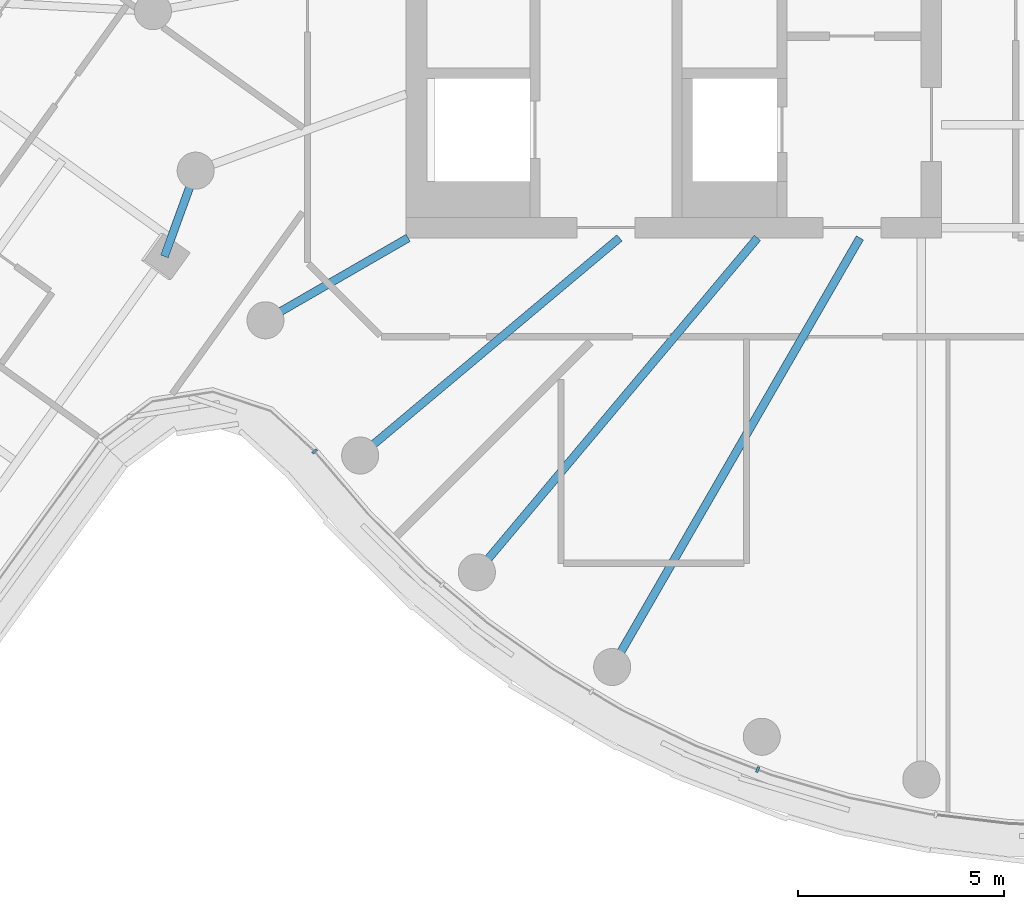
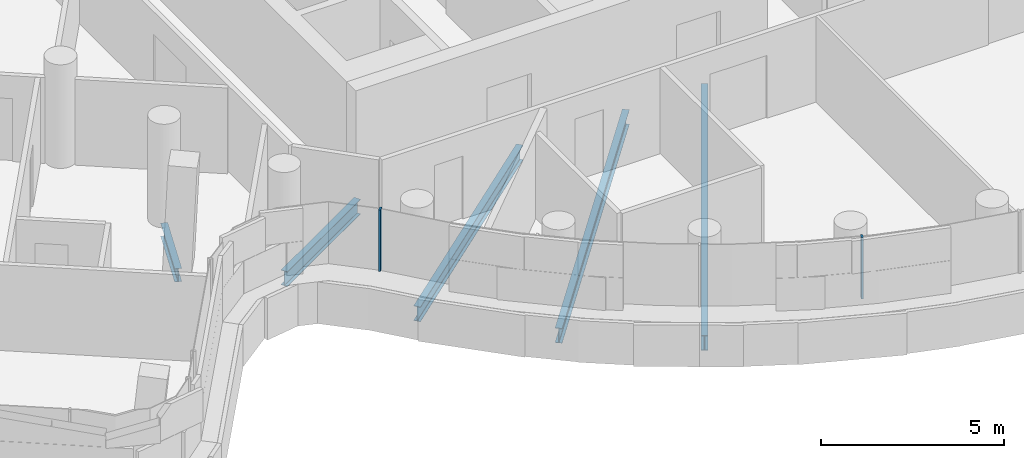
# One storey, part 3 of 27: 5 beams, 2 members, 1 element without a shape of its own.
"""IFC4 building model written with IfcOpenShell, lengths in metres."""

from ifc_helpers import new_model, si_unit, direction, frame, origin, origin_2d, place, context, subcontext, project, spatial, rectangle, i_section, extrude, material, layer, layer_set, material_profile, profile_set, type_object, element, aggregate, save


model = new_model("IFC4")

# Units and contexts
model_context = context("Model", 3, precision=1e-05, world=origin(), true_north=direction((0.0, 1.0)))
body_context = subcontext(model_context, "Body", "Model", "MODEL_VIEW")
ifc_project = project(units=[si_unit("LENGTHUNIT", "METRE"), si_unit("AREAUNIT", "SQUARE_METRE"), si_unit("VOLUMEUNIT", "CUBIC_METRE"), si_unit("PLANEANGLEUNIT", "RADIAN"), si_unit("MASSUNIT", "GRAM", prefix="KILO")], contexts=[model_context])

# Site, building, storey
site_placement = place(None, origin())
site = spatial("IfcSite", under=ifc_project, at=site_placement, CompositionType="ELEMENT")
building_placement = place(site_placement, origin())
building = spatial("IfcBuilding", under=site, at=building_placement, Name="Tamarind Cross Interchange Tower", CompositionType="ELEMENT")
storey_placement = place(building_placement, frame((0.0, 0.0, 230.699951171875)))
storey = spatial("IfcBuildingStorey", under=building, at=storey_placement, Name="L58", CompositionType="ELEMENT", Elevation=230.699951171875)

# Beams
ifc_material_1 = material(Name="Steel Q355B", Category="steel")
ifc_material_profile_1 = material_profile(ifc_material_1, i_section(OverallWidth=0.198974609375, OverallDepth=0.446044921875, WebThickness=0.008056640625, FlangeThickness=0.011962890625, FilletRadius=0.012939453125, at=origin_2d()), Name="HN 446x199x8x12")
ifc_profile_set_1 = profile_set([ifc_material_profile_1], Name="Steel Q355B")
beam_type_1 = type_object("IfcBeamType", Name="Composite beam HN 446x199x8x12 Q355B", PredefinedType="BEAM", material=ifc_profile_set_1)
beam_1_placement = place(storey_placement, frame((-22.371826171875, -9.949951171875, -0.363037109375), z_axis=(0.342202725814, 0.939626146106, 0.0), x_axis=(-0.939626146106, 0.342202725814, 0.0)))
element("IfcBeam", 1, at=beam_1_placement, inside=storey, type_object=beam_type_1, Name="Beam W-linkep", PredefinedType="BEAM", context=body_context, shape_type="SweptSolid", body=[
    extrude(i_section(OverallWidth=0.198974609375, OverallDepth=0.446044921875, WebThickness=0.008056640625, FlangeThickness=0.011962890625, FilletRadius=0.012939453125, at=origin_2d()), origin(), (0.0, 0.0, 1.0), 2.21728515625),
])
ifc_material_profile_2 = material_profile(ifc_material_1, i_section(OverallWidth=0.198974609375, OverallDepth=0.49609375, WebThickness=0.009033203125, FlangeThickness=0.013916015625, FilletRadius=0.012939453125, at=origin_2d()), Name="HN 496x199x9x14")
ifc_profile_set_2 = profile_set([ifc_material_profile_2], Name="Steel Q355B")
beam_type_2 = type_object("IfcBeamType", Name="Composite beam HN 496x199x9x14 Q355B", PredefinedType="BEAM", material=ifc_profile_set_2)
beam_2_placement = place(storey_placement, frame((-19.918701171875, -11.5, -0.387939453125), z_axis=(0.866026010844, 0.49999894854, 0.0), x_axis=(-0.49999894854, 0.866026010844, 0.0)))
element("IfcBeam", 2, at=beam_2_placement, inside=storey, type_object=beam_type_2, Name="Beam HH21", PredefinedType="BEAM", context=body_context, shape_type="SweptSolid", body=[
    extrude(i_section(OverallWidth=0.198974609375, OverallDepth=0.49609375, WebThickness=0.009033203125, FlangeThickness=0.013916015625, FilletRadius=0.012939453125, at=origin_2d()), origin(), (0.0, 0.0, 1.0), 4.0),
])
beam_3_placement = place(storey_placement, frame((-17.619140625, -14.7841796875, -0.387939453125), z_axis=(0.766040580814, 0.642792212574, 0.0), x_axis=(-0.642792212574, 0.766040580814, 0.0)))
element("IfcBeam", 3, at=beam_3_placement, inside=storey, type_object=beam_type_2, Name="Beam HH22", PredefinedType="BEAM", context=body_context, shape_type="SweptSolid", body=[
    extrude(i_section(OverallWidth=0.198974609375, OverallDepth=0.49609375, WebThickness=0.009033203125, FlangeThickness=0.013916015625, FilletRadius=0.012939453125, at=origin_2d()), origin(), (0.0, 0.0, 1.0), 8.220703125),
])
beam_4_placement = place(storey_placement, frame((-14.7841796875, -17.619140625, -0.387939453125), z_axis=(0.642786293979, 0.766045547127, 0.0), x_axis=(-0.766045547127, 0.642786293979, 0.0)))
element("IfcBeam", 4, at=beam_4_placement, inside=storey, type_object=beam_type_2, Name="Beam HH23", PredefinedType="BEAM", context=body_context, shape_type="SweptSolid", body=[
    extrude(i_section(OverallWidth=0.198974609375, OverallDepth=0.49609375, WebThickness=0.009033203125, FlangeThickness=0.013916015625, FilletRadius=0.012939453125, at=origin_2d()), origin(), (0.0, 0.0, 1.0), 10.598876953125),
])
beam_5_placement = place(storey_placement, frame((-11.5, -19.918701171875, -0.387939453125), z_axis=(0.499993565836, 0.866029118519, 0.0), x_axis=(-0.866029118519, 0.499993565836, 0.0)))
element("IfcBeam", 5, at=beam_5_placement, inside=storey, type_object=beam_type_2, Name="Beam HH24", PredefinedType="BEAM", context=body_context, shape_type="SweptSolid", body=[
    extrude(i_section(OverallWidth=0.198974609375, OverallDepth=0.49609375, WebThickness=0.009033203125, FlangeThickness=0.013916015625, FilletRadius=0.012939453125, at=origin_2d()), origin(), (0.0, 0.0, 1.0), 12.030517578125),
])

# Curtain wall, members
ifc_material_2 = material(Name="Aluminium 6063-T6", Category="aluminium")
ifc_layer = layer(ifc_material_2, 0.139892578125)
ifc_layer_set = layer_set([ifc_layer], Name="Aluminium 6063-T6")
curtain_wall_type = type_object("IfcCurtainWallType", Name="Hotel curtain wall, 4.5 m bays", PredefinedType="NOTDEFINED", material=ifc_layer_set)
curtain_wall_placement = place(storey_placement, origin())
curtain_wall = element("IfcCurtainWall", 6, at=curtain_wall_placement, inside=storey, type_object=curtain_wall_type, Name="CWS-L58-02", PredefinedType="NOTDEFINED")
ifc_material_profile_3 = material_profile(ifc_material_2, rectangle(XDim=0.06005859375, YDim=0.139892578125, at=origin_2d()), Name="Mullion CW2")
ifc_profile_set_3 = profile_set([ifc_material_profile_3], Name="Aluminium 6063-T6")
member_type = type_object("IfcMemberType", Name="Mullion CW2", PredefinedType="MULLION", material=ifc_profile_set_3)
member_1_placement = place(storey_placement, frame((-18.725830078125, -14.68408203125, 1.400146484375), z_axis=(0.0, 0.0, 1.0), x_axis=(0.64957723968, -0.760295606781, 0.0)))
member_1 = element("IfcMember", 7, at=member_1_placement, type_object=member_type, Name="CWM-L58-02-01", PredefinedType="MULLION", context=body_context, shape_type="SweptSolid", body=[
    extrude(rectangle(XDim=0.06005859375, YDim=0.139892578125, at=origin_2d()), origin(), (0.0, 0.0, 1.0), 2.059814453125),
])
member_2_placement = place(storey_placement, frame((-7.96728515625, -22.409423828125, 1.400146484375), z_axis=(0.0, 0.0, 1.0), x_axis=(0.933146843667, -0.359495435512, 0.0)))
member_2 = element("IfcMember", 8, at=member_2_placement, type_object=member_type, Name="CWM-L58-02-04", PredefinedType="MULLION", context=body_context, shape_type="SweptSolid", body=[
    extrude(rectangle(XDim=0.06005859375, YDim=0.139892578125, at=origin_2d()), origin(), (0.0, 0.0, 1.0), 2.059814453125),
])
aggregate(curtain_wall, [member_1, member_2])

save(model, "model.ifc")
